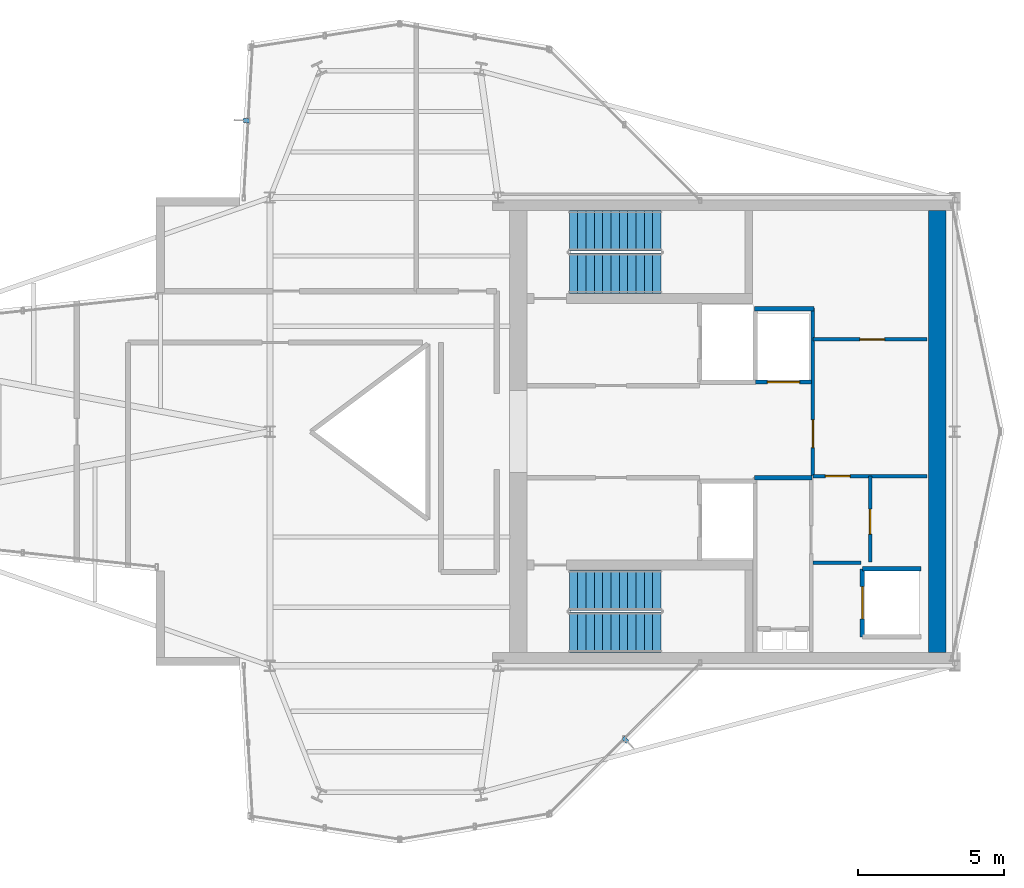
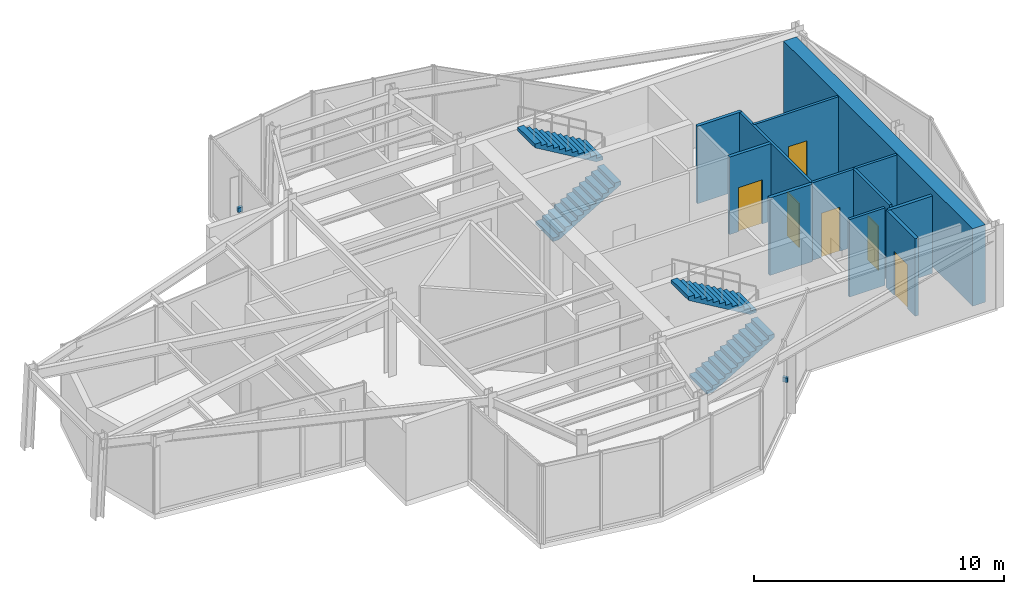
# One storey, part 12 of 13: 11 walls, 6 doors, 4 stair flights, 2 discrete accessories, 6 openings, 2 elements without a shape of their own.
"""IFC4 building model written with IfcOpenShell, lengths in metres."""

import ifcopenshell
import ifcopenshell.guid

model = None  # the IFC model being written
_history = None  # IfcOwnerHistory: only IFC2X3 demands one
_inside = {}  # id of a spatial element -> (the spatial element, [elements in it])
_under = {}  # id of a project, library or spatial element -> (it, [spatial elements below it])
_declared = {}  # id of a project -> (the project, [libraries it declares])
_typed = {}  # id of a type object -> (the type object, [elements of that type])
_made_of = {}  # id of a material, layer set ... -> (it, [elements and type objects made of it])


def new_model(schema):
    """Start an empty IFC model of exactly this schema.

    Asked for "IFC4X3", IfcOpenShell would pick the latest addendum, in which some entities
    have other attributes; the version numbers below select the first issue.
    IFC2X3 requires an IfcOwnerHistory on every rooted entity: one is made here for all.
    """
    global model, _history
    if schema == "IFC4X3":
        model = ifcopenshell.file(schema_version=(4, 3, 0, 0))
    else:
        model = ifcopenshell.file(schema=schema)
    _inside.clear()
    _under.clear()
    _declared.clear()
    _typed.clear()
    _made_of.clear()
    _history = None
    if model.schema == "IFC2X3":
        org = make("IfcOrganization", Name="unknown")
        user = make(
            "IfcPersonAndOrganization",
            ThePerson=make("IfcPerson", FamilyName="unknown"),
            TheOrganization=org,
        )
        app = make(
            "IfcApplication",
            ApplicationDeveloper=org,
            Version="unknown",
            ApplicationFullName="unknown",
            ApplicationIdentifier="unknown",
        )
        _history = make(
            "IfcOwnerHistory",
            OwningUser=user,
            OwningApplication=app,
            ChangeAction="ADDED",
            CreationDate=0,
        )
    return model


def make(cls, **values):
    """One entity of the class cls with the attributes given. An attribute that is None is left unset."""
    return model.create_entity(
        cls, **{name: value for name, value in values.items() if value is not None}
    )


def rooted(cls, **values):
    """An entity with a GlobalId (a new one), such as an element, a storey or a relation."""
    return make(cls, GlobalId=ifcopenshell.guid.new(), OwnerHistory=_history, **values)


def si_unit(unit_type, name, prefix=None):
    """IfcSIUnit, for example si_unit("LENGTHUNIT", "METRE", prefix="MILLI")."""
    return make("IfcSIUnit", UnitType=unit_type, Prefix=prefix, Name=name)


def assignment(units):
    """IfcUnitAssignment: the units of a project."""
    return None if units is None else make("IfcUnitAssignment", Units=units)


def point(xyz):
    """IfcCartesianPoint."""
    return None if xyz is None else make("IfcCartesianPoint", Coordinates=xyz)


def direction(xyz):
    """IfcDirection."""
    return None if xyz is None else make("IfcDirection", DirectionRatios=xyz)


def frame(location, z_axis=None, x_axis=None):
    """IfcAxis2Placement3D, a coordinate frame: its origin and axes. An axis left out is left unset."""
    return make(
        "IfcAxis2Placement3D",
        Location=point(location),
        Axis=direction(z_axis),
        RefDirection=direction(x_axis),
    )


def frame_2d(location, x_axis=None):
    """IfcAxis2Placement2D, a coordinate frame in the plane: its origin and x axis."""
    return make(
        "IfcAxis2Placement2D", Location=point(location), RefDirection=direction(x_axis)
    )


def origin():
    """The frame at (0, 0, 0) with its axes left unset."""
    return frame((0.0, 0.0, 0.0))


def origin_2d():
    """The frame at (0, 0) in the plane with its x axis left unset."""
    return frame_2d((0.0, 0.0))


def place(relative_to, where):
    """IfcLocalPlacement: puts the frame where relative to a parent placement (None: the world)."""
    return make(
        "IfcLocalPlacement", PlacementRelTo=relative_to, RelativePlacement=where
    )


def context(
    kind, dimensions, precision=None, world=None, true_north=None, identifier=None
):
    """IfcGeometricRepresentationContext, for example the 3D "Model" context."""
    return make(
        "IfcGeometricRepresentationContext",
        ContextIdentifier=identifier,
        ContextType=kind,
        CoordinateSpaceDimension=dimensions,
        Precision=precision,
        WorldCoordinateSystem=world,
        TrueNorth=true_north,
    )


def subcontext(parent, identifier, kind, view, scale=None):
    """IfcGeometricRepresentationSubContext, for example "Body" below "Model"."""
    return make(
        "IfcGeometricRepresentationSubContext",
        ContextIdentifier=identifier,
        ContextType=kind,
        ParentContext=parent,
        TargetScale=scale,
        TargetView=view,
    )


def project(units=None, contexts=None):
    """IfcProject with its units and contexts."""
    return rooted(
        "IfcProject",
        Name="project",
        RepresentationContexts=contexts,
        UnitsInContext=assignment(units),
    )


def spatial(cls, under=None, at=None, **own):
    """A site, building, storey or space (cls), placed at a placement, below another one or the project."""
    s = rooted(cls, ObjectPlacement=at, **own)
    if under is not None:
        _under.setdefault(under.id(), (under, []))[1].append(s)
    return s


def polyline(points):
    """IfcPolyline through the points."""
    return make("IfcPolyline", Points=[point(p) for p in points])


def profile(cls, at=None, kind="AREA", **sizes):
    """A parametric profile (cls). Its sizes go by their IFC names, for example OverallWidth=200.0."""
    return make(cls, ProfileType=kind, Position=at, **sizes)


def rectangle(**sizes):
    """IfcRectangleProfileDef."""
    return profile("IfcRectangleProfileDef", **sizes)


def outline(outer, holes=None, kind="AREA"):
    """IfcArbitraryClosedProfileDef: a profile drawn as a closed curve; with holes, ...WithVoids."""
    if holes is None:
        return make("IfcArbitraryClosedProfileDef", ProfileType=kind, OuterCurve=outer)
    return make(
        "IfcArbitraryProfileDefWithVoids",
        ProfileType=kind,
        OuterCurve=outer,
        InnerCurves=holes,
    )


def extrude(swept, where, along, depth):
    """IfcExtrudedAreaSolid: the profile swept, set in the frame where, extruded along a direction by depth."""
    return make(
        "IfcExtrudedAreaSolid",
        SweptArea=swept,
        Position=where,
        ExtrudedDirection=direction(along),
        Depth=depth,
    )


def shape(context_of_items, identifier, shape_type, items):
    """IfcShapeRepresentation: the items that make up one representation, for example the "Body"."""
    return make(
        "IfcShapeRepresentation",
        ContextOfItems=context_of_items,
        RepresentationIdentifier=identifier,
        RepresentationType=shape_type,
        Items=items,
    )


def material(Name=None, Category=None):
    """IfcMaterial."""
    return make("IfcMaterial", Name=Name, Category=Category)


def layer(
    of_material, thickness, ventilated=None, Name=None, Category=None, Priority=None
):
    """IfcMaterialLayer: one layer of a wall or slab, of a material (None: an air gap)."""
    return make(
        "IfcMaterialLayer",
        Material=of_material,
        LayerThickness=thickness,
        IsVentilated=ventilated,
        Name=Name,
        Category=Category,
        Priority=Priority,
    )


def layer_set(layers, Name=None):
    """IfcMaterialLayerSet."""
    return make("IfcMaterialLayerSet", MaterialLayers=layers, LayerSetName=Name)


def made_of(thing, what):
    """Note that an element or type object is made of a material, layer set ...; save() writes the relation."""
    if what is not None:
        _made_of.setdefault(what.id(), (what, []))[1].append(thing)
    return thing


def type_object(cls, material=None, **own):
    """A type object (cls), such as IfcWallType, which elements share."""
    return made_of(rooted(cls, **own), material)


def element(
    cls,
    number,
    at=None,
    inside=None,
    cuts=None,
    type_object=None,
    material=None,
    context=None,
    identifier="Body",
    shape_type=None,
    held_by="IfcProductDefinitionShape",
    body=None,
    shapes=None,
    **own,
):
    """One element of the class cls, such as IfcWall. Its Tag is "e" and its number.

    at: its placement. inside: the storey or other place that contains it. cuts: it is an
    opening in that element (IfcRelVoidsElement). A single representation is given by context,
    identifier, shape_type and body (its items); several are given by shapes. held_by: the class
    of the entity that holds the representations. save() writes the other relations.
    """
    e = rooted(cls, Tag="e%d" % number, ObjectPlacement=at, **own)
    if body is not None:
        shapes = [shape(context, identifier, shape_type, body)]
    if shapes is not None:
        e.Representation = make(held_by, Representations=shapes)
    if inside is not None:
        _inside.setdefault(inside.id(), (inside, []))[1].append(e)
    if cuts is not None:
        rooted(
            "IfcRelVoidsElement", RelatingBuildingElement=cuts, RelatedOpeningElement=e
        )
    if type_object is not None:
        _typed.setdefault(type_object.id(), (type_object, []))[1].append(e)
    return made_of(e, material)


def fill(opening, filler):
    """IfcRelFillsElement: the door or window that sits in an opening."""
    return rooted(
        "IfcRelFillsElement",
        RelatingOpeningElement=opening,
        RelatedBuildingElement=filler,
    )


def aggregate(whole, parts):
    """IfcRelAggregates: a whole, such as a stair, and the parts it consists of."""
    return rooted("IfcRelAggregates", RelatingObject=whole, RelatedObjects=parts)


def save(model, path):
    """Write the relations noted so far, then the file.

    IfcRelAggregates (storeys below a building ...), IfcRelContainedInSpatialStructure (elements
    in a storey), IfcRelDefinesByType, IfcRelAssociatesMaterial and IfcRelDeclares: one each for
    every whole, place, type object, material and project.
    """
    for whole, parts in _under.values():
        aggregate(whole, parts)
    for where, things in _inside.values():
        rooted(
            "IfcRelContainedInSpatialStructure",
            RelatedElements=things,
            RelatingStructure=where,
        )
    for kind, things in _typed.values():
        rooted("IfcRelDefinesByType", RelatedObjects=things, RelatingType=kind)
    for what, things in _made_of.values():
        rooted("IfcRelAssociatesMaterial", RelatedObjects=things, RelatingMaterial=what)
    for by, libraries in _declared.values():
        rooted("IfcRelDeclares", RelatingContext=by, RelatedDefinitions=libraries)
    model.write(path)


model = new_model("IFC4")

# Units and contexts
model_context = context("Model", 3, precision=1e-05, world=origin(), true_north=direction((0.0, 1.0)))
body_context = subcontext(model_context, "Body", "Model", "MODEL_VIEW")
ifc_project = project(units=[si_unit("LENGTHUNIT", "METRE"), si_unit("AREAUNIT", "SQUARE_METRE"), si_unit("VOLUMEUNIT", "CUBIC_METRE"), si_unit("PLANEANGLEUNIT", "RADIAN"), si_unit("MASSUNIT", "GRAM", prefix="KILO")], contexts=[model_context])

# Site, building, storey
site_placement = place(None, origin())
site = spatial("IfcSite", under=ifc_project, at=site_placement, CompositionType="ELEMENT")
building_placement = place(site_placement, origin())
building = spatial("IfcBuilding", under=site, at=building_placement, Name="Veymaron Broadcast Tower", CompositionType="ELEMENT")
storey_placement = place(building_placement, frame((0.0, 0.0, 311.39990234375)))
storey = spatial("IfcBuildingStorey", under=building, at=storey_placement, Name="L73", CompositionType="ELEMENT", Elevation=311.39990234375)

# Wall, opening, door
ifc_material_1 = material(Name="Gypsum fireboard and steel stud framing", Category="steel")
ifc_layer_1 = layer(ifc_material_1, 0.14990234375)
ifc_layer_set_1 = layer_set([ifc_layer_1], Name="Gypsum fireboard and steel stud framing")
wall_type_1 = type_object("IfcWallType", Name="WALL-FIRE-150", PredefinedType="PARTITIONING", material=ifc_layer_set_1)
wall_1_placement = place(storey_placement, frame((47.7900390625, 25.695068359375, 0.0), z_axis=(0.0, 0.0, 1.0), x_axis=(1.0, 0.0, 0.0)))
wall_1 = element("IfcWall", 1, at=wall_1_placement, inside=storey, type_object=wall_type_1, Name="L73 partition IW-L73-SHS-SL-1", PredefinedType="PARTITIONING", context=body_context, shape_type="SweptSolid", body=[
    extrude(rectangle(XDim=1.919921875, YDim=0.14990234375, at=frame_2d((0.9599609375, 0.0))), origin(), (0.0, 0.0, 1.0), 3.780029296875),
])
opening_1_placement = place(wall_1_placement, frame((0.409912109375, 0.0, 0.0)))
opening_1 = element("IfcOpeningElement", 2, at=opening_1_placement, cuts=wall_1, Name="Opening LD", PredefinedType="OPENING", context=body_context, shape_type="SweptSolid", body=[
    extrude(rectangle(XDim=1.10009765625, YDim=2.14990234375, at=frame_2d((0.550048828125, 1.074951171875))), frame((0.0, 0.0849609375, 0.0), z_axis=(0.0, -1.0, 0.0), x_axis=(1.0, 0.0, 0.0)), (0.0, 0.0, 1.0), 0.169921875),
])
ifc_material_2 = material(Name="Brushed stainless steel AISI 304", Category="steel")
door_type_1 = type_object("IfcDoorType", Name="DOOR-LIFT-1100", OperationType="DOUBLE_DOOR_SLIDING", PredefinedType="DOOR", material=ifc_material_2)
door_1_placement = place(opening_1_placement, frame((1.10009765625, 0.0, 0.0), z_axis=(0.0, 0.0, 1.0), x_axis=(-1.0, 0.0, 0.0)))
door_1 = element("IfcDoor", 3, at=door_1_placement, inside=storey, type_object=door_type_1, Name="L73 door LD-L73-SL-1", OperationType="DOUBLE_DOOR_SLIDING", OverallHeight=2.14990234375, OverallWidth=1.10009765625, PredefinedType="DOOR", context=body_context, shape_type="SweptSolid", body=[
    extrude(rectangle(XDim=1.10009765625, YDim=2.14990234375, at=frame_2d((0.550048828125, 1.074951171875))), frame((0.0, 0.02490234375, 0.0), z_axis=(0.0, -1.0, 0.0), x_axis=(1.0, 0.0, 0.0)), (0.0, 0.0, 1.0), 0.050048828125),
])
fill(opening_1, door_1)

wall_2_placement = place(storey_placement, frame((51.445068359375, 16.989990234375, 0.0), z_axis=(0.0, 0.0, 1.0), x_axis=(0.0, 1.0, 0.0)))
wall_2 = element("IfcWall", 4, at=wall_2_placement, inside=storey, type_object=wall_type_1, Name="L73 partition IW-L73-SHW-PH1", PredefinedType="PARTITIONING", context=body_context, shape_type="SweptSolid", body=[
    extrude(rectangle(XDim=2.320068359375, YDim=0.14990234375, at=frame_2d((1.16015625, 0.0))), origin(), (0.0, 0.0, 1.0), 3.780029296875),
])
opening_2_placement = place(wall_2_placement, frame((0.610107421875, 0.0, 0.0)))
opening_2 = element("IfcOpeningElement", 5, at=opening_2_placement, cuts=wall_2, Name="Opening LD", PredefinedType="OPENING", context=body_context, shape_type="SweptSolid", body=[
    extrude(rectangle(XDim=1.10009765625, YDim=2.14990234375, at=frame_2d((0.550048828125, 1.074951171875))), frame((0.0, 0.0849609375, 0.0), z_axis=(0.0, -1.0, 0.0), x_axis=(1.0, 0.0, 0.0)), (0.0, 0.0, 1.0), 0.169921875),
])
door_2_placement = place(opening_2_placement, frame((1.10009765625, 0.0, 0.0), z_axis=(0.0, 0.0, 1.0), x_axis=(-1.0, 0.0, 0.0)))
door_2 = element("IfcDoor", 6, at=door_2_placement, inside=storey, type_object=door_type_1, Name="L73 door LD-L73-PH1", OperationType="DOUBLE_DOOR_SLIDING", OverallHeight=2.14990234375, OverallWidth=1.10009765625, PredefinedType="DOOR", context=body_context, shape_type="SweptSolid", body=[
    extrude(rectangle(XDim=1.10009765625, YDim=2.14990234375, at=frame_2d((0.550048828125, 1.074951171875))), frame((0.0, 0.02490234375, 0.0), z_axis=(0.0, -1.0, 0.0), x_axis=(1.0, 0.0, 0.0)), (0.0, 0.0, 1.0), 0.050048828125),
])
fill(opening_2, door_2)

# Walls
wall_3_placement = place(storey_placement, frame((51.445068359375, 19.31005859375, 0.0), z_axis=(0.0, 0.0, 1.0), x_axis=(1.0, 0.0, 0.0)))
element("IfcWall", 7, at=wall_3_placement, inside=storey, type_object=wall_type_1, Name="L73 partition IW-L73-SHN-PH1", PredefinedType="PARTITIONING", context=body_context, shape_type="SweptSolid", body=[
    extrude(rectangle(XDim=2.014892578125, YDim=0.14990234375, at=frame_2d((1.00732421875, 0.0))), origin(), (0.0, 0.0, 1.0), 3.780029296875),
])
wall_4_placement = place(storey_placement, frame((47.760009765625, 22.425048828125, 0.0), z_axis=(0.0, 0.0, 1.0), x_axis=(1.0, 0.0, 0.0)))
element("IfcWall", 8, at=wall_4_placement, inside=storey, type_object=wall_type_1, Name="L73 partition IW-L73-SM-N", PredefinedType="PARTITIONING", context=body_context, shape_type="SweptSolid", body=[
    extrude(rectangle(XDim=1.9599609375, YDim=0.14990234375, at=frame_2d((0.97998046875, 0.0))), origin(), (0.0, 0.0, 1.0), 3.780029296875),
])
wall_5_placement = place(storey_placement, frame((47.760009765625, 28.199951171875, 0.0), z_axis=(0.0, 0.0, 1.0), x_axis=(1.0, 0.0, 0.0)))
element("IfcWall", 9, at=wall_5_placement, inside=storey, type_object=wall_type_1, Name="L73 partition IW-L73-F3-SW", PredefinedType="PARTITIONING", context=body_context, shape_type="SweptSolid", body=[
    extrude(rectangle(XDim=2.0400390625, YDim=0.14990234375, at=frame_2d((1.02001953125, 0.0))), origin(), (0.0, 0.0, 1.0), 3.780029296875),
])

# Wall, opening, door
ifc_material_3 = material(Name="Acoustic gypsum board and galvanized stud", Category="gypsum")
ifc_layer_2 = layer(ifc_material_3, 0.1201171875)
ifc_layer_set_2 = layer_set([ifc_layer_2], Name="Acoustic gypsum board and galvanized stud")
wall_type_2 = type_object("IfcWallType", Name="WALL-PART-120", PredefinedType="PARTITIONING", material=ifc_layer_set_2)
wall_6_placement = place(storey_placement, frame((49.760009765625, 22.47998046875, 0.0), z_axis=(0.0, 0.0, 1.0), x_axis=(1.0, 0.0, 0.0)))
wall_6 = element("IfcWall", 10, at=wall_6_placement, inside=storey, type_object=wall_type_2, Name="L73 partition IW-L73-F3S-N", PredefinedType="PARTITIONING", context=body_context, shape_type="SweptSolid", body=[
    extrude(rectangle(XDim=3.89990234375, YDim=0.1201171875, at=frame_2d((1.949951171875, 0.0))), origin(), (0.0, 0.0, 1.0), 3.780029296875),
])
opening_3_placement = place(wall_6_placement, frame((0.419921875, 0.0, 0.0)))
opening_3 = element("IfcOpeningElement", 11, at=opening_3_placement, cuts=wall_6, Name="Opening ID-WC1", PredefinedType="OPENING", context=body_context, shape_type="SweptSolid", body=[
    extrude(rectangle(XDim=0.85009765625, YDim=2.14990234375, at=frame_2d((0.425048828125, 1.074951171875))), frame((0.0, 0.070068359375, 0.0), z_axis=(0.0, -1.0, 0.0), x_axis=(1.0, 0.0, 0.0)), (0.0, 0.0, 1.0), 0.14013671875),
])
ifc_material_4 = material(Name="Moisture-resistant high-pressure laminate timber", Category="wood")
door_type_2 = type_object("IfcDoorType", Name="DOOR-INT-850", OperationType="NOTDEFINED", PredefinedType="DOOR", material=ifc_material_4)
door_3_placement = place(opening_3_placement, frame((0.85009765625, 0.0, 0.0), z_axis=(0.0, 0.0, 1.0), x_axis=(-1.0, 0.0, 0.0)))
door_3 = element("IfcDoor", 12, at=door_3_placement, inside=storey, type_object=door_type_2, Name="L73 door DR-L73-F3S", OperationType="SINGLE_SWING_LEFT", OverallHeight=2.14990234375, OverallWidth=0.85009765625, PredefinedType="DOOR", context=body_context, shape_type="SweptSolid", body=[
    extrude(rectangle(XDim=0.85009765625, YDim=2.14990234375, at=frame_2d((0.425048828125, 1.074951171875))), frame((0.0, 0.02490234375, 0.0), z_axis=(0.0, -1.0, 0.0), x_axis=(1.0, 0.0, 0.0)), (0.0, 0.0, 1.0), 0.050048828125),
])
fill(opening_3, door_3)

wall_7_placement = place(storey_placement, frame((51.7099609375, 19.550048828125, 0.0), z_axis=(0.0, 0.0, 1.0), x_axis=(0.0, 1.0, 0.0)))
wall_7 = element("IfcWall", 13, at=wall_7_placement, inside=storey, type_object=wall_type_2, Name="L73 partition IW-L73-F3S-M", PredefinedType="PARTITIONING", context=body_context, shape_type="SweptSolid", body=[
    extrude(rectangle(XDim=2.929931640625, YDim=0.1201171875, at=frame_2d((1.46484375, 0.0))), origin(), (0.0, 0.0, 1.0), 3.780029296875),
])
opening_4_placement = place(wall_7_placement, frame((0.949951171875, 0.0, 0.0)))
opening_4 = element("IfcOpeningElement", 14, at=opening_4_placement, cuts=wall_7, Name="Opening ID-WC1", PredefinedType="OPENING", context=body_context, shape_type="SweptSolid", body=[
    extrude(rectangle(XDim=0.85009765625, YDim=2.14990234375, at=frame_2d((0.425048828125, 1.074951171875))), frame((0.0, 0.070068359375, 0.0), z_axis=(0.0, -1.0, 0.0), x_axis=(1.0, 0.0, 0.0)), (0.0, 0.0, 1.0), 0.14013671875),
])
door_4_placement = place(opening_4_placement, origin())
door_4 = element("IfcDoor", 15, at=door_4_placement, inside=storey, type_object=door_type_2, Name="L73 door DR-L73-F3SB", OperationType="SINGLE_SWING_RIGHT", OverallHeight=2.14990234375, OverallWidth=0.85009765625, PredefinedType="DOOR", context=body_context, shape_type="SweptSolid", body=[
    extrude(rectangle(XDim=0.85009765625, YDim=2.14990234375, at=frame_2d((0.425048828125, 1.074951171875))), frame((0.0, 0.02490234375, 0.0), z_axis=(0.0, -1.0, 0.0), x_axis=(1.0, 0.0, 0.0)), (0.0, 0.0, 1.0), 0.050048828125),
])
fill(opening_4, door_4)

# Wall
wall_8_placement = place(storey_placement, frame((49.760009765625, 19.52001953125, 0.0), z_axis=(0.0, 0.0, 1.0), x_axis=(1.0, 0.0, 0.0)))
element("IfcWall", 16, at=wall_8_placement, inside=storey, type_object=wall_type_2, Name="L73 partition IW-L73-F3S-S", PredefinedType="PARTITIONING", context=body_context, shape_type="SweptSolid", body=[
    extrude(rectangle(XDim=1.639892578125, YDim=0.1201171875, at=frame_2d((0.81982421875, 0.0))), origin(), (0.0, 0.0, 1.0), 3.780029296875),
])

# Wall, opening, door
wall_9_placement = place(storey_placement, frame((49.760009765625, 22.5, 0.0), z_axis=(0.0, 0.0, 1.0), x_axis=(0.0, 1.0, 0.0)))
wall_9 = element("IfcWall", 17, at=wall_9_placement, inside=storey, type_object=wall_type_2, Name="L73 partition IW-L73-F3-W", PredefinedType="PARTITIONING", context=body_context, shape_type="SweptSolid", body=[
    extrude(rectangle(XDim=5.719970703125, YDim=0.1201171875, at=frame_2d((2.85986328125, 0.0))), origin(), (0.0, 0.0, 1.0), 3.780029296875),
])
opening_5_placement = place(wall_9_placement, frame((0.949951171875, 0.0, 0.0)))
opening_5 = element("IfcOpeningElement", 18, at=opening_5_placement, cuts=wall_9, Name="Opening ID-RM1", PredefinedType="OPENING", context=body_context, shape_type="SweptSolid", body=[
    extrude(rectangle(XDim=0.949951171875, YDim=2.14990234375, at=frame_2d((0.47509765625, 1.074951171875))), frame((0.0, 0.070068359375, 0.0), z_axis=(0.0, -1.0, 0.0), x_axis=(1.0, 0.0, 0.0)), (0.0, 0.0, 1.0), 0.14013671875),
])
ifc_material_5 = material(Name="Acoustic solid-core European oak veneer timber", Category="wood")
door_type_3 = type_object("IfcDoorType", Name="DOOR-INT-950", OperationType="NOTDEFINED", PredefinedType="DOOR", material=ifc_material_5)
door_5_placement = place(opening_5_placement, origin())
door_5 = element("IfcDoor", 19, at=door_5_placement, inside=storey, type_object=door_type_3, Name="L73 door DR-L73-F3A", OperationType="SINGLE_SWING_LEFT", OverallHeight=2.14990234375, OverallWidth=0.949951171875, PredefinedType="DOOR", context=body_context, shape_type="SweptSolid", body=[
    extrude(rectangle(XDim=0.949951171875, YDim=2.14990234375, at=frame_2d((0.47509765625, 1.074951171875))), frame((0.0, 0.02490234375, 0.0), z_axis=(0.0, -1.0, 0.0), x_axis=(1.0, 0.0, 0.0)), (0.0, 0.0, 1.0), 0.050048828125),
])
fill(opening_5, door_5)

wall_10_placement = place(storey_placement, frame((49.760009765625, 27.14990234375, 0.0), z_axis=(0.0, 0.0, 1.0), x_axis=(1.0, 0.0, 0.0)))
wall_10 = element("IfcWall", 20, at=wall_10_placement, inside=storey, type_object=wall_type_2, Name="L73 partition IW-L73-F3-M1", PredefinedType="PARTITIONING", context=body_context, shape_type="SweptSolid", body=[
    extrude(rectangle(XDim=3.89990234375, YDim=0.1201171875, at=frame_2d((1.949951171875, 0.0))), origin(), (0.0, 0.0, 1.0), 3.780029296875),
])
opening_6_placement = place(wall_10_placement, frame((1.60009765625, 0.0, 0.0)))
opening_6 = element("IfcOpeningElement", 21, at=opening_6_placement, cuts=wall_10, Name="Opening ID-WC1", PredefinedType="OPENING", context=body_context, shape_type="SweptSolid", body=[
    extrude(rectangle(XDim=0.85009765625, YDim=2.14990234375, at=frame_2d((0.425048828125, 1.074951171875))), frame((0.0, 0.070068359375, 0.0), z_axis=(0.0, -1.0, 0.0), x_axis=(1.0, 0.0, 0.0)), (0.0, 0.0, 1.0), 0.14013671875),
])
door_6_placement = place(opening_6_placement, origin())
door_6 = element("IfcDoor", 22, at=door_6_placement, inside=storey, type_object=door_type_2, Name="L73 door DR-L73-F3B", OperationType="SINGLE_SWING_LEFT", OverallHeight=2.14990234375, OverallWidth=0.85009765625, PredefinedType="DOOR", context=body_context, shape_type="SweptSolid", body=[
    extrude(rectangle(XDim=0.85009765625, YDim=2.14990234375, at=frame_2d((0.425048828125, 1.074951171875))), frame((0.0, 0.02490234375, 0.0), z_axis=(0.0, -1.0, 0.0), x_axis=(1.0, 0.0, 0.0)), (0.0, 0.0, 1.0), 0.050048828125),
])
fill(opening_6, door_6)

# Wall
ifc_material_6 = material(Name="Concrete C50/60", Category="concrete")
ifc_layer_3 = layer(ifc_material_6, 0.60009765625)
ifc_layer_set_3 = layer_set([ifc_layer_3], Name="Concrete C50/60")
wall_type_3 = type_object("IfcWallType", Name="WALL-SHEAR-600", PredefinedType="SHEAR", material=ifc_layer_set_3)
wall_11_placement = place(storey_placement, frame((54.0, 16.449951171875, 0.0), z_axis=(0.0, 0.0, 1.0), x_axis=(0.0, 1.0, 0.0)))
element("IfcWall", 23, at=wall_11_placement, inside=storey, type_object=wall_type_3, Name="L73 Core Wall east shear", PredefinedType="SHEAR", context=body_context, shape_type="SweptSolid", body=[
    extrude(rectangle(XDim=15.10009765625, YDim=0.60009765625, at=frame_2d((7.550048828125, 0.0))), origin(), (0.0, 0.0, 1.0), 3.780029296875),
])

# Stair, stair flights
stair_type_1 = type_object("IfcStairType", Name="STAIR-CORE-1", PredefinedType="HALF_TURN_STAIR", material=ifc_material_6)
stair_1_placement = place(storey_placement, origin())
stair_1 = element("IfcStair", 24, at=stair_1_placement, inside=storey, type_object=stair_type_1, Name="L73 North protected dog-leg exit stair ST1", PredefinedType="HALF_TURN_STAIR")
ifc_material_7 = material(Name="Precast concrete C50/60", Category="concrete")
stair_flight_type = type_object("IfcStairFlightType", Name="FLT-CORE-RC", PredefinedType="STRAIGHT", material=ifc_material_7)
stair_flight_1_placement = place(storey_placement, frame((41.429931640625, 29.419921875, 0.0), z_axis=(0.0, 0.0, 1.0), x_axis=(1.0, 0.0, 0.0)))
stair_flight_1 = element("IfcStairFlight", 25, at=stair_flight_1_placement, type_object=stair_flight_type, Name="ST1 flight 1", NumberOfRisers=12, NumberOfTreads=11, PredefinedType="STRAIGHT", RiserHeight=0.16875, TreadLength=0.285, context=body_context, shape_type="SweptSolid", body=[
    extrude(outline(polyline([(0.0, 0.0), (0.0, 0.168701171875), (0.284912109375, 0.168701171875), (0.284912109375, 0.33740234375), (0.570068359375, 0.33740234375), (0.570068359375, 0.50634765625), (0.85498046875, 0.50634765625), (0.85498046875, 0.675048828125), (1.139892578125, 0.675048828125), (1.139892578125, 0.84375), (1.425048828125, 0.84375), (1.425048828125, 1.012451171875), (1.7099609375, 1.012451171875), (1.7099609375, 1.18115234375), (1.9951171875, 1.18115234375), (1.9951171875, 1.35009765625), (2.280029296875, 1.35009765625), (2.280029296875, 1.518798828125), (2.56494140625, 1.518798828125), (2.56494140625, 1.6875), (2.85009765625, 1.6875), (2.85009765625, 1.856201171875), (3.135009765625, 1.856201171875), (3.135009765625, 2.02490234375), (3.135009765625, 1.68212890625), (0.294189453125, 0.0), (0.0, 0.0)])), frame((0.0, 0.68994140625, 0.0), z_axis=(0.0, -1.0, 0.0), x_axis=(1.0, 0.0, 0.0)), (0.0, 0.0, 1.0), 1.3798828125),
])
stair_flight_2_placement = place(storey_placement, frame((44.56494140625, 30.860107421875, 2.025146484375), z_axis=(0.0, 0.0, 1.0), x_axis=(-1.0, 0.0, 0.0)))
stair_flight_2 = element("IfcStairFlight", 26, at=stair_flight_2_placement, type_object=stair_flight_type, Name="ST1 flight 2", NumberOfRisers=12, NumberOfTreads=11, PredefinedType="STRAIGHT", RiserHeight=0.16875, TreadLength=0.285, context=body_context, shape_type="SweptSolid", body=[
    extrude(outline(polyline([(0.0, 0.0), (0.0, 0.168701171875), (0.284912109375, 0.168701171875), (0.284912109375, 0.33740234375), (0.570068359375, 0.33740234375), (0.570068359375, 0.50634765625), (0.85498046875, 0.50634765625), (0.85498046875, 0.675048828125), (1.139892578125, 0.675048828125), (1.139892578125, 0.84375), (1.425048828125, 0.84375), (1.425048828125, 1.012451171875), (1.7099609375, 1.012451171875), (1.7099609375, 1.18115234375), (1.9951171875, 1.18115234375), (1.9951171875, 1.35009765625), (2.280029296875, 1.35009765625), (2.280029296875, 1.518798828125), (2.56494140625, 1.518798828125), (2.56494140625, 1.6875), (2.85009765625, 1.6875), (2.85009765625, 1.856201171875), (3.135009765625, 1.856201171875), (3.135009765625, 2.02490234375), (3.135009765625, 1.68212890625), (0.294189453125, 0.0), (0.0, 0.0)])), frame((0.0, 0.68994140625, 0.0), z_axis=(0.0, -1.0, 0.0), x_axis=(1.0, 0.0, 0.0)), (0.0, 0.0, 1.0), 1.3798828125),
])
aggregate(stair_1, [stair_flight_1, stair_flight_2])

stair_type_2 = type_object("IfcStairType", Name="STAIR-CORE-2", PredefinedType="HALF_TURN_STAIR", material=ifc_material_6)
stair_2_placement = place(storey_placement, origin())
stair_2 = element("IfcStair", 27, at=stair_2_placement, inside=storey, type_object=stair_type_2, Name="L73 South protected dog-leg exit stair ST2", PredefinedType="HALF_TURN_STAIR")
stair_flight_3_placement = place(storey_placement, frame((41.429931640625, 17.139892578125, 0.0), z_axis=(0.0, 0.0, 1.0), x_axis=(1.0, 0.0, 0.0)))
stair_flight_3 = element("IfcStairFlight", 28, at=stair_flight_3_placement, type_object=stair_flight_type, Name="ST2 flight 1", NumberOfRisers=12, NumberOfTreads=11, PredefinedType="STRAIGHT", RiserHeight=0.16875, TreadLength=0.285, context=body_context, shape_type="SweptSolid", body=[
    extrude(outline(polyline([(0.0, 0.0), (0.0, 0.168701171875), (0.284912109375, 0.168701171875), (0.284912109375, 0.33740234375), (0.570068359375, 0.33740234375), (0.570068359375, 0.50634765625), (0.85498046875, 0.50634765625), (0.85498046875, 0.675048828125), (1.139892578125, 0.675048828125), (1.139892578125, 0.84375), (1.425048828125, 0.84375), (1.425048828125, 1.012451171875), (1.7099609375, 1.012451171875), (1.7099609375, 1.18115234375), (1.9951171875, 1.18115234375), (1.9951171875, 1.35009765625), (2.280029296875, 1.35009765625), (2.280029296875, 1.518798828125), (2.56494140625, 1.518798828125), (2.56494140625, 1.6875), (2.85009765625, 1.6875), (2.85009765625, 1.856201171875), (3.135009765625, 1.856201171875), (3.135009765625, 2.02490234375), (3.135009765625, 1.68212890625), (0.294189453125, 0.0), (0.0, 0.0)])), frame((0.0, 0.68994140625, 0.0), z_axis=(0.0, -1.0, 0.0), x_axis=(1.0, 0.0, 0.0)), (0.0, 0.0, 1.0), 1.3798828125),
])
stair_flight_4_placement = place(storey_placement, frame((44.56494140625, 18.580078125, 2.025146484375), z_axis=(0.0, 0.0, 1.0), x_axis=(-1.0, 0.0, 0.0)))
stair_flight_4 = element("IfcStairFlight", 29, at=stair_flight_4_placement, type_object=stair_flight_type, Name="ST2 flight 2", NumberOfRisers=12, NumberOfTreads=11, PredefinedType="STRAIGHT", RiserHeight=0.16875, TreadLength=0.285, context=body_context, shape_type="SweptSolid", body=[
    extrude(outline(polyline([(0.0, 0.0), (0.0, 0.168701171875), (0.284912109375, 0.168701171875), (0.284912109375, 0.33740234375), (0.570068359375, 0.33740234375), (0.570068359375, 0.50634765625), (0.85498046875, 0.50634765625), (0.85498046875, 0.675048828125), (1.139892578125, 0.675048828125), (1.139892578125, 0.84375), (1.425048828125, 0.84375), (1.425048828125, 1.012451171875), (1.7099609375, 1.012451171875), (1.7099609375, 1.18115234375), (1.9951171875, 1.18115234375), (1.9951171875, 1.35009765625), (2.280029296875, 1.35009765625), (2.280029296875, 1.518798828125), (2.56494140625, 1.518798828125), (2.56494140625, 1.6875), (2.85009765625, 1.6875), (2.85009765625, 1.856201171875), (3.135009765625, 1.856201171875), (3.135009765625, 2.02490234375), (3.135009765625, 1.68212890625), (0.294189453125, 0.0), (0.0, 0.0)])), frame((0.0, 0.68994140625, 0.0), z_axis=(0.0, -1.0, 0.0), x_axis=(1.0, 0.0, 0.0)), (0.0, 0.0, 1.0), 1.3798828125),
])
aggregate(stair_2, [stair_flight_3, stair_flight_4])

# Discrete accessories
ifc_material_8 = material(Name="Austenitic stainless steel AISI 316L", Category="steel")
ifc_layer_4 = layer(ifc_material_8, 0.1201171875)
ifc_layer_set_4 = layer_set([ifc_layer_4], Name="Austenitic stainless steel AISI 316L")
discrete_accessory_type = type_object("IfcDiscreteAccessoryType", Name="ACC-BRKT-SS1", PredefinedType="BRACKET", material=ifc_layer_set_4)
for number, where, z_axis, x_axis, name in (
    (30, (30.39208984375, 34.6279296875, 1.7802734375), (0.0, 0.0, 1.0), (-0.998332762161, 0.057720845415, 0.0), "CW-L73-E8-1 fin bracket 1"),
    (31, (43.34814453125, 13.464111328125, 1.7802734375), (0.0, 0.0, 1.0), (0.706810526965, -0.707402911339, 0.0), "CW-L73-E20-1 fin bracket 1"),
):
    element("IfcDiscreteAccessory", number, at=place(storey_placement, frame(where, z_axis=z_axis, x_axis=x_axis)), inside=storey, type_object=discrete_accessory_type, Name=name, PredefinedType="BRACKET", context=body_context, shape_type="SweptSolid", body=[
        extrude(rectangle(XDim=0.219970703125, YDim=0.139892578125, at=origin_2d()), origin(), (0.0, 0.0, 1.0), 0.219970703125),
    ])

save(model, "model.ifc")
